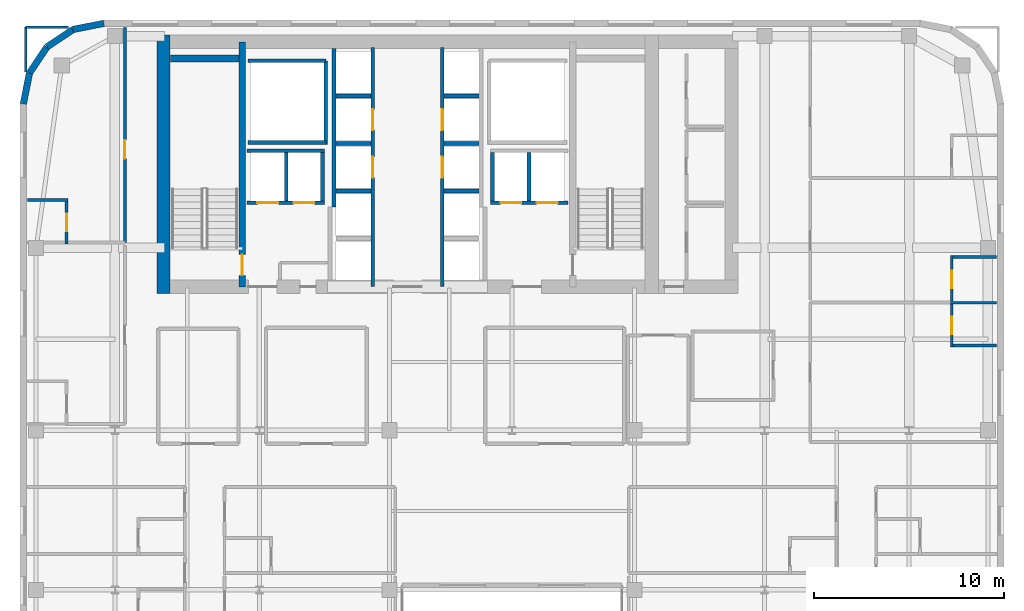
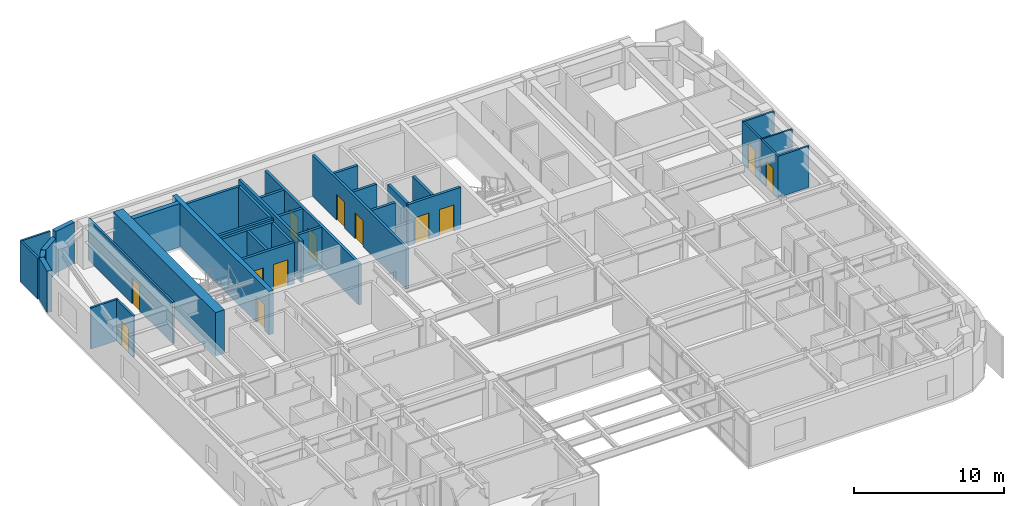
# One storey, part 12 of 15: 36 walls, 13 doors, 13 openings.
"""IFC4 building model written with IfcOpenShell, lengths in metres."""

from ifc_helpers import new_model, si_unit, direction, frame, frame_2d, origin, place, context, subcontext, project, spatial, rectangle, extrude, source, transform, mapped, material, layer, layer_set, type_object, type_shapes, element, fill, save


model = new_model("IFC4")

# Units and contexts
model_context = context("Model", 3, precision=1e-05, world=origin(), true_north=direction((0.0, 1.0)))
body_context = subcontext(model_context, "Body", "Model", "MODEL_VIEW")
ifc_project = project(units=[si_unit("LENGTHUNIT", "METRE"), si_unit("AREAUNIT", "SQUARE_METRE"), si_unit("VOLUMEUNIT", "CUBIC_METRE"), si_unit("PLANEANGLEUNIT", "RADIAN"), si_unit("MASSUNIT", "GRAM", prefix="KILO")], contexts=[model_context])

# Site, building, storey
site_placement = place(None, origin())
site = spatial("IfcSite", under=ifc_project, at=site_placement, CompositionType="ELEMENT")
building_placement = place(site_placement, origin())
building = spatial("IfcBuilding", under=site, at=building_placement, Name="Tolvann Quenvar Hotel", CompositionType="ELEMENT")
storey_placement = place(building_placement, frame((0.0, 0.0, 164.800048828125)))
storey = spatial("IfcBuildingStorey", under=building, at=storey_placement, Name="L43", CompositionType="ELEMENT", Elevation=164.800048828125)

# Wall
ifc_material_1 = material(Name="Concrete S65 (65 MPa)", Category="concrete")
ifc_layer_1 = layer(ifc_material_1, 0.699951171875)
ifc_layer_set_1 = layer_set([ifc_layer_1], Name="Concrete S65 (65 MPa)")
wall_type_1 = type_object("IfcWallType", Name="WALL_CORE_700", PredefinedType="SHEAR", material=ifc_layer_set_1)
wall_1_placement = place(storey_placement, frame((10.14990234375, 31.60009765625, 0.0), z_axis=(0.0, 0.0, 1.0), x_axis=(0.0, 1.0, 0.0)))
element("IfcWall", 1, at=wall_1_placement, inside=storey, type_object=wall_type_1, Name="Rear Core W Shear Wall (L43)", PredefinedType="SHEAR", context=body_context, shape_type="SweptSolid", body=[
    extrude(rectangle(XDim=13.599853515625, YDim=0.699951171875, at=frame_2d((6.7998046875, 0.0))), origin(), (0.0, 0.0, 1.0), 3.550048828125),
])

# Wall, opening, door
ifc_layer_2 = layer(ifc_material_1, 0.35009765625)
ifc_layer_set_2 = layer_set([ifc_layer_2], Name="Concrete S65 (65 MPa)")
wall_type_2 = type_object("IfcWallType", Name="WALL_CORE_INT_350", PredefinedType="SHEAR", material=ifc_layer_set_2)
wall_2_placement = place(storey_placement, frame((14.300048828125, 31.949951171875, 0.0), z_axis=(0.0, 0.0, 1.0), x_axis=(0.0, 1.0, 0.0)))
wall_2 = element("IfcWall", 2, at=wall_2_placement, inside=storey, type_object=wall_type_2, Name="Core Internal Web Shear Wall WEB-W (L43)", PredefinedType="SHEAR", context=body_context, shape_type="SweptSolid", body=[
    extrude(rectangle(XDim=12.900146484375, YDim=0.35009765625, at=frame_2d((6.4501953125, 0.0))), origin(), (0.0, 0.0, 1.0), 3.550048828125),
])
opening_1_placement = place(wall_2_placement, frame((0.60009765625, 0.0, 0.0)))
opening_1 = element("IfcOpeningElement", 3, at=opening_1_placement, cuts=wall_2, Name="Opening FD-120", PredefinedType="OPENING", context=body_context, shape_type="SweptSolid", body=[
    extrude(rectangle(XDim=1.10009765625, YDim=2.1201171875, at=frame_2d((0.550048828125, 1.06005859375))), frame((0.0, 0.18505859375, 0.0), z_axis=(0.0, -1.0, 0.0), x_axis=(1.0, 0.0, 0.0)), (0.0, 0.0, 1.0), 0.3701171875),
])
ifc_material_2 = material(Name="Pressed galvanised steel fire-rated door set", Category="steel")
door_type_1 = type_object("IfcDoorType", Name="DOOR_FIRE_STAIR_1100", OperationType="NOTDEFINED", PredefinedType="DOOR", material=ifc_material_2)
shared_shape_1 = source(origin(), body_context, "Body", "SweptSolid", [
    extrude(rectangle(XDim=1.10009765625, YDim=2.1201171875, at=frame_2d((0.550048828125, 1.06005859375))), frame((0.0, 0.02490234375, 0.0), z_axis=(0.0, -1.0, 0.0), x_axis=(1.0, 0.0, 0.0)), (0.0, 0.0, 1.0), 0.050048828125),
])
type_shapes(door_type_1, [shared_shape_1])
door_1_placement = place(opening_1_placement, origin())
door_1 = element("IfcDoor", 4, at=door_1_placement, inside=storey, type_object=door_type_1, Name="Exit Stair ST-C1 Fire Door (L43)", OperationType="SINGLE_SWING_LEFT", OverallHeight=2.1201171875, OverallWidth=1.10009765625, PredefinedType="DOOR", context=body_context, shape_type="MappedRepresentation", body=[
    mapped(shared_shape_1, transform((0.0, 0.0, 0.0), x_axis=(1.0, 0.0, 0.0), y_axis=(0.0, 1.0, 0.0), z_axis=(0.0, 0.0, 1.0), scale=1.0)),
])
fill(opening_1, door_1)

# Walls
wall_3_placement = place(storey_placement, frame((10.52001953125, 43.97509765625, 0.0), z_axis=(0.0, 0.0, 1.0), x_axis=(1.0, 0.0, 0.0)))
element("IfcWall", 5, at=wall_3_placement, inside=storey, type_object=wall_type_2, Name="Core Stair North Closing Shear Wall STC1-N (L43)", PredefinedType="SHEAR", context=body_context, shape_type="SweptSolid", body=[
    extrude(rectangle(XDim=3.60009765625, YDim=0.35009765625, at=frame_2d((1.800048828125, 0.0))), origin(), (0.0, 0.0, 1.0), 3.550048828125),
])
ifc_material_3 = material(Name="Kiln-fired red and buff architectural clay brickwork and terracotta masonry", Category="masonry")
ifc_layer_3 = layer(ifc_material_3, 0.35009765625)
ifc_layer_set_3 = layer_set([ifc_layer_3], Name="Kiln-fired red and buff architectural clay brickwork and terracotta masonry")
wall_type_3 = type_object("IfcWallType", Name="WALL_EXT_BRICK_350", PredefinedType="SOLIDWALL", material=ifc_layer_set_3)
wall_4_placement = place(storey_placement, frame((7.01708984375, 45.824951171875, 0.0), z_axis=(0.0, 0.0, 1.0), x_axis=(-0.980788844421, -0.195072403631, 0.0)))
element("IfcWall", 6, at=wall_4_placement, inside=storey, type_object=wall_type_3, Name="Exterior Chicago Brick Wall L43-E19", PredefinedType="SOLIDWALL", context=body_context, shape_type="SweptSolid", body=[
    extrude(rectangle(XDim=1.66455078125, YDim=0.35009765625, at=frame_2d((0.832275390625, 0.0))), origin(), (0.0, 0.0, 1.0), 3.369873046875),
])
for number, where, z_axis, x_axis, name in (
    (7, (5.384521484375, 45.500244140625, 0.0), (0.0, 0.0, 1.0), (-0.831502623162, -0.555520825599, 0.0), "Exterior Chicago Brick Wall L43-E20"),
    (8, (4.014892578125, 44.585205078125, 0.0), (0.0, 0.0, 1.0), (-0.555623290322, -0.831434158098, 0.0), "Exterior Chicago Brick Wall L43-E21"),
):
    element("IfcWall", number, at=place(storey_placement, frame(where, z_axis=z_axis, x_axis=x_axis)), inside=storey, type_object=wall_type_3, Name=name, PredefinedType="SOLIDWALL", context=body_context, shape_type="SweptSolid", body=[
        extrude(rectangle(XDim=1.647216796875, YDim=0.35009765625, at=frame_2d((0.82373046875, 0.0))), origin(), (0.0, 0.0, 1.0), 2.83203125),
    ])
wall_5_placement = place(storey_placement, frame((3.099609375, 43.215576171875, 0.0), z_axis=(0.0, 0.0, 1.0), x_axis=(-0.195044345786, -0.980794424524, 0.0)))
element("IfcWall", 9, at=wall_5_placement, inside=storey, type_object=wall_type_3, Name="Exterior Chicago Brick Wall L43-E22", PredefinedType="SOLIDWALL", context=body_context, shape_type="SweptSolid", body=[
    extrude(rectangle(XDim=1.664794921875, YDim=0.35009765625, at=frame_2d((0.83251953125, 0.0))), origin(), (0.0, 0.0, 1.0), 3.369873046875),
])
ifc_material_4 = material(Name="Moisture-resistant acoustic plumbing wall assembly")
ifc_layer_4 = layer(ifc_material_4, 0.1201171875)
ifc_layer_set_4 = layer_set([ifc_layer_4], Name="Moisture-resistant acoustic plumbing wall assembly")
wall_type_4 = type_object("IfcWallType", Name="WALL_PART_BATH_120", PredefinedType="PLUMBINGWALL", material=ifc_layer_set_4)
wall_6_placement = place(storey_placement, frame((51.580078125, 31.1201171875, 0.0), z_axis=(0.0, 0.0, 1.0), x_axis=(1.0, 0.0, 0.0)))
element("IfcWall", 10, at=wall_6_placement, inside=storey, type_object=wall_type_4, Name="Non-Rated Plumbing Partition PT-SPC-L43-ENS-NE01-N", PredefinedType="PLUMBINGWALL", context=body_context, shape_type="SweptSolid", body=[
    extrude(rectangle(XDim=2.4150390625, YDim=0.1201171875, at=frame_2d((1.20751953125, 0.0))), origin(), (0.0, 0.0, 1.0), 3.369873046875),
])

# Wall, opening, door
ifc_material_5 = material(Name="Acoustic twin-stud fire-rated gypsum plasterboard partition")
ifc_layer_5 = layer(ifc_material_5, 0.14990234375)
ifc_layer_set_5 = layer_set([ifc_layer_5], Name="Acoustic twin-stud fire-rated gypsum plasterboard partition")
wall_type_5 = type_object("IfcWallType", Name="WALL_PART_SUITE_150", PredefinedType="PARTITIONING", material=ifc_layer_set_5)
wall_7_placement = place(storey_placement, frame((5.050048828125, 34.2099609375, 0.0), z_axis=(0.0, 0.0, 1.0), x_axis=(0.0, 1.0, 0.0)))
wall_7 = element("IfcWall", 11, at=wall_7_placement, inside=storey, type_object=wall_type_5, Name="Interior Partition PT-SPC-L43-ENS-NW02-ENT", PredefinedType="PARTITIONING", context=body_context, shape_type="SweptSolid", body=[
    extrude(rectangle(XDim=2.39013671875, YDim=0.14990234375, at=frame_2d((1.195068359375, 0.0))), origin(), (0.0, 0.0, 1.0), 3.369873046875),
])
opening_2_placement = place(wall_7_placement, frame((0.6650390625, 0.0, 0.0)))
opening_2 = element("IfcOpeningElement", 12, at=opening_2_placement, cuts=wall_7, Name="Opening WD-01", PredefinedType="OPENING", context=body_context, shape_type="SweptSolid", body=[
    extrude(rectangle(XDim=0.919921875, YDim=2.010009765625, at=frame_2d((0.4599609375, 1.0048828125))), frame((0.0, 0.0849609375, 0.0), z_axis=(0.0, -1.0, 0.0), x_axis=(1.0, 0.0, 0.0)), (0.0, 0.0, 1.0), 0.169921875),
])
ifc_material_6 = material(Name="Solid-core American oak acoustic fire door leaf in steel frame", Category="steel")
door_type_2 = type_object("IfcDoorType", Name="DOOR_WC_920", OperationType="NOTDEFINED", PredefinedType="DOOR", material=ifc_material_6)
shared_shape_2 = source(origin(), body_context, "Body", "SweptSolid", [
    extrude(rectangle(XDim=0.919921875, YDim=2.010009765625, at=frame_2d((0.4599609375, 1.0048828125))), frame((0.0, 0.02490234375, 0.0), z_axis=(0.0, -1.0, 0.0), x_axis=(1.0, 0.0, 0.0)), (0.0, 0.0, 1.0), 0.050048828125),
])
type_shapes(door_type_2, [shared_shape_2])
door_2_placement = place(opening_2_placement, origin())
door_2 = element("IfcDoor", 13, at=door_2_placement, inside=storey, type_object=door_type_2, Name="Interior Door DOOR-SPC-L43-ENS-NW02", OperationType="SINGLE_SWING_RIGHT", OverallHeight=2.010009765625, OverallWidth=0.919921875, PredefinedType="DOOR", context=body_context, shape_type="MappedRepresentation", body=[
    mapped(shared_shape_2, transform((0.0, 0.0, 0.0), x_axis=(1.0, 0.0, 0.0), y_axis=(0.0, 1.0, 0.0), z_axis=(0.0, 0.0, 1.0), scale=1.0)),
])
fill(opening_2, door_2)

# Wall
wall_8_placement = place(storey_placement, frame((3.0048828125, 36.530029296875, 0.0), z_axis=(0.0, 0.0, 1.0), x_axis=(1.0, 0.0, 0.0)))
element("IfcWall", 14, at=wall_8_placement, inside=storey, type_object=wall_type_5, Name="Interior Partition PT-SPC-L43-ENS-NW02-N", PredefinedType="PARTITIONING", context=body_context, shape_type="SweptSolid", body=[
    extrude(rectangle(XDim=2.115234375, YDim=0.14990234375, at=frame_2d((1.0576171875, 0.0))), origin(), (0.0, 0.0, 1.0), 3.369873046875),
])

# Wall, opening, door
wall_9_placement = place(storey_placement, frame((51.64990234375, 28.800048828125, 0.0), z_axis=(0.0, 0.0, 1.0), x_axis=(0.0, 1.0, 0.0)))
wall_9 = element("IfcWall", 15, at=wall_9_placement, inside=storey, type_object=wall_type_5, Name="Interior Partition PT-SPC-L43-ENS-NE01-ENT", PredefinedType="PARTITIONING", context=body_context, shape_type="SweptSolid", body=[
    extrude(rectangle(XDim=2.389892578125, YDim=0.14990234375, at=frame_2d((1.19482421875, 0.0))), origin(), (0.0, 0.0, 1.0), 3.369873046875),
])
opening_3_placement = place(wall_9_placement, frame((0.6650390625, 0.0, 0.0)))
opening_3 = element("IfcOpeningElement", 16, at=opening_3_placement, cuts=wall_9, Name="Opening WD-01", PredefinedType="OPENING", context=body_context, shape_type="SweptSolid", body=[
    extrude(rectangle(XDim=0.919921875, YDim=2.010009765625, at=frame_2d((0.4599609375, 1.0048828125))), frame((0.0, 0.0849609375, 0.0), z_axis=(0.0, -1.0, 0.0), x_axis=(1.0, 0.0, 0.0)), (0.0, 0.0, 1.0), 0.169921875),
])
door_3_placement = place(opening_3_placement, origin())
door_3 = element("IfcDoor", 17, at=door_3_placement, inside=storey, type_object=door_type_2, Name="Interior Door DOOR-SPC-L43-ENS-NE01", OperationType="SINGLE_SWING_LEFT", OverallHeight=2.010009765625, OverallWidth=0.919921875, PredefinedType="DOOR", context=body_context, shape_type="MappedRepresentation", body=[
    mapped(shared_shape_2, transform((0.0, 0.0, 0.0), x_axis=(1.0, 0.0, 0.0), y_axis=(0.0, 1.0, 0.0), z_axis=(0.0, 0.0, 1.0), scale=1.0)),
])
fill(opening_3, door_3)

# Wall
wall_10_placement = place(storey_placement, frame((51.580078125, 28.8701171875, 0.0), z_axis=(0.0, 0.0, 1.0), x_axis=(1.0, 0.0, 0.0)))
element("IfcWall", 18, at=wall_10_placement, inside=storey, type_object=wall_type_5, Name="Interior Partition PT-SPC-L43-ENS-NE01-S", PredefinedType="PARTITIONING", context=body_context, shape_type="SweptSolid", body=[
    extrude(rectangle(XDim=2.4150390625, YDim=0.14990234375, at=frame_2d((1.20751953125, 0.0))), origin(), (0.0, 0.0, 1.0), 3.369873046875),
])

# Wall, opening, door
wall_11_placement = place(storey_placement, frame((51.64990234375, 31.2099609375, 0.0), z_axis=(0.0, 0.0, 1.0), x_axis=(0.0, 1.0, 0.0)))
wall_11 = element("IfcWall", 19, at=wall_11_placement, inside=storey, type_object=wall_type_5, Name="Interior Partition PT-SPC-L43-ENS-NE02-ENT", PredefinedType="PARTITIONING", context=body_context, shape_type="SweptSolid", body=[
    extrude(rectangle(XDim=2.39013671875, YDim=0.14990234375, at=frame_2d((1.195068359375, 0.0))), origin(), (0.0, 0.0, 1.0), 3.369873046875),
])
opening_4_placement = place(wall_11_placement, frame((0.6650390625, 0.0, 0.0)))
opening_4 = element("IfcOpeningElement", 20, at=opening_4_placement, cuts=wall_11, Name="Opening WD-01", PredefinedType="OPENING", context=body_context, shape_type="SweptSolid", body=[
    extrude(rectangle(XDim=0.919921875, YDim=2.010009765625, at=frame_2d((0.4599609375, 1.0048828125))), frame((0.0, 0.0849609375, 0.0), z_axis=(0.0, -1.0, 0.0), x_axis=(1.0, 0.0, 0.0)), (0.0, 0.0, 1.0), 0.169921875),
])
door_4_placement = place(opening_4_placement, origin())
door_4 = element("IfcDoor", 21, at=door_4_placement, inside=storey, type_object=door_type_2, Name="Interior Door DOOR-SPC-L43-ENS-NE02", OperationType="SINGLE_SWING_RIGHT", OverallHeight=2.010009765625, OverallWidth=0.919921875, PredefinedType="DOOR", context=body_context, shape_type="MappedRepresentation", body=[
    mapped(shared_shape_2, transform((0.0, 0.0, 0.0), x_axis=(1.0, 0.0, 0.0), y_axis=(0.0, 1.0, 0.0), z_axis=(0.0, 0.0, 1.0), scale=1.0)),
])
fill(opening_4, door_4)

# Wall
wall_12_placement = place(storey_placement, frame((51.580078125, 33.530029296875, 0.0), z_axis=(0.0, 0.0, 1.0), x_axis=(1.0, 0.0, 0.0)))
element("IfcWall", 22, at=wall_12_placement, inside=storey, type_object=wall_type_5, Name="Interior Partition PT-SPC-L43-ENS-NE02-N", PredefinedType="PARTITIONING", context=body_context, shape_type="SweptSolid", body=[
    extrude(rectangle(XDim=2.4150390625, YDim=0.14990234375, at=frame_2d((1.20751953125, 0.0))), origin(), (0.0, 0.0, 1.0), 3.369873046875),
])

# Wall, opening, door
wall_13_placement = place(storey_placement, frame((8.1201171875, 34.280029296875, 0.0), z_axis=(0.0, 0.0, 1.0), x_axis=(0.0, 1.0, 0.0)))
wall_13 = element("IfcWall", 23, at=wall_13_placement, inside=storey, type_object=wall_type_5, Name="Interior Partition PT-SPC-L43-RM-NW02-ENT", PredefinedType="PARTITIONING", context=body_context, shape_type="SweptSolid", body=[
    extrude(rectangle(XDim=11.31494140625, YDim=0.14990234375, at=frame_2d((5.657470703125, 0.0))), origin(), (0.0, 0.0, 1.0), 3.369873046875),
])
opening_5_placement = place(wall_13_placement, frame((4.419921875, 0.0, 0.0)))
opening_5 = element("IfcOpeningElement", 24, at=opening_5_placement, cuts=wall_13, Name="Opening SD-01", PredefinedType="OPENING", context=body_context, shape_type="SweptSolid", body=[
    extrude(rectangle(XDim=0.97998046875, YDim=2.1201171875, at=frame_2d((0.489990234375, 1.06005859375))), frame((0.0, 0.0849609375, 0.0), z_axis=(0.0, -1.0, 0.0), x_axis=(1.0, 0.0, 0.0)), (0.0, 0.0, 1.0), 0.169921875),
])
door_type_3 = type_object("IfcDoorType", Name="DOOR_SUITE_980", OperationType="NOTDEFINED", PredefinedType="DOOR", material=ifc_material_6)
shared_shape_3 = source(origin(), body_context, "Body", "SweptSolid", [
    extrude(rectangle(XDim=0.97998046875, YDim=2.1201171875, at=frame_2d((0.489990234375, 1.06005859375))), frame((0.0, 0.02490234375, 0.0), z_axis=(0.0, -1.0, 0.0), x_axis=(1.0, 0.0, 0.0)), (0.0, 0.0, 1.0), 0.050048828125),
])
type_shapes(door_type_3, [shared_shape_3])
door_5_placement = place(opening_5_placement, origin())
door_5 = element("IfcDoor", 25, at=door_5_placement, inside=storey, type_object=door_type_3, Name="Interior Door DOOR-SPC-L43-RM-NW02", OperationType="SINGLE_SWING_RIGHT", OverallHeight=2.1201171875, OverallWidth=0.97998046875, PredefinedType="DOOR", context=body_context, shape_type="MappedRepresentation", body=[
    mapped(shared_shape_3, transform((0.0, 0.0, 0.0), x_axis=(1.0, 0.0, 0.0), y_axis=(0.0, 1.0, 0.0), z_axis=(0.0, 0.0, 1.0), scale=1.0)),
])
fill(opening_5, door_5)

# Walls
wall_14_placement = place(storey_placement, frame((2.89990234375, 45.6201171875, 0.0), z_axis=(0.0, 0.0, 1.0), x_axis=(1.0, 0.0, 0.0)))
element("IfcWall", 26, at=wall_14_placement, inside=storey, type_object=wall_type_5, Name="Interior Partition PT-SPC-L43-RM-NW02-E5", PredefinedType="PARTITIONING", context=body_context, shape_type="SweptSolid", body=[
    extrude(rectangle(XDim=2.25, YDim=0.14990234375, at=frame_2d((1.125, 0.0))), origin(), (0.0, 0.0, 1.0), 3.369873046875),
])
wall_15_placement = place(storey_placement, frame((2.89990234375, 43.2548828125, 0.0), z_axis=(0.0, 0.0, 1.0), x_axis=(0.0, 1.0, 0.0)))
element("IfcWall", 27, at=wall_15_placement, inside=storey, type_object=wall_type_5, Name="Interior Partition PT-SPC-L43-RM-NW02-E6", PredefinedType="PARTITIONING", context=body_context, shape_type="SweptSolid", body=[
    extrude(rectangle(XDim=2.365234375, YDim=0.14990234375, at=frame_2d((1.1826171875, 0.0))), origin(), (0.0, 0.0, 1.0), 3.369873046875),
])
ifc_material_7 = material(Name="Concrete N40 (40 MPa)", Category="concrete")
ifc_layer_6 = layer(ifc_material_7, 0.199951171875)
ifc_layer_set_6 = layer_set([ifc_layer_6], Name="Concrete N40 (40 MPa)")
wall_type_6 = type_object("IfcWallType", Name="WALL_SHAFT_200", PredefinedType="SOLIDWALL", material=ifc_layer_set_6)
wall_16_placement = place(storey_placement, frame((18.699951171875, 39.449951171875, 0.0), z_axis=(0.0, 0.0, 1.0), x_axis=(0.0, 1.0, 0.0)))
element("IfcWall", 28, at=wall_16_placement, inside=storey, type_object=wall_type_6, Name="Service Riser W Shaft Wall IN (L43)", PredefinedType="SOLIDWALL", context=body_context, shape_type="SweptSolid", body=[
    extrude(rectangle(XDim=4.400146484375, YDim=0.199951171875, at=frame_2d((2.2001953125, 0.0))), origin(), (0.0, 0.0, 1.0), 3.369873046875),
])
for number, where, z_axis, x_axis, name in (
    (29, (14.60009765625, 39.550048828125, 0.0), (0.0, 0.0, 1.0), (1.0, 0.0, 0.0), "Service Riser W Shaft Wall S (L43)"),
    (30, (14.60009765625, 43.85009765625, 0.0), (0.0, 0.0, 1.0), (1.0, 0.0, 0.0), "Service Riser W Shaft Wall N (L43)"),
):
    element("IfcWall", number, at=place(storey_placement, frame(where, z_axis=z_axis, x_axis=x_axis)), inside=storey, type_object=wall_type_6, Name=name, PredefinedType="SOLIDWALL", context=body_context, shape_type="SweptSolid", body=[
        extrude(rectangle(XDim=4.099853515625, YDim=0.199951171875, at=frame_2d((2.0498046875, 0.0))), origin(), (0.0, 0.0, 1.0), 3.369873046875),
    ])

# Wall, openings, doors
wall_17_placement = place(storey_placement, frame((21.169921875, 31.9599609375, 0.0), z_axis=(0.0, 0.0, 1.0), x_axis=(0.0, 1.0, 0.0)))
wall_17 = element("IfcWall", 31, at=wall_17_placement, inside=storey, type_object=wall_type_6, Name="Lift Bank E21.1C1 Hoistway Front Wall (L43)", PredefinedType="SOLIDWALL", context=body_context, shape_type="SweptSolid", body=[
    extrude(rectangle(XDim=12.580078125, YDim=0.199951171875, at=frame_2d((6.2900390625, 0.0))), origin(), (0.0, 0.0, 1.0), 3.369873046875),
])
opening_6_placement = place(wall_17_placement, frame((5.739990234375, 0.0, 0.0)))
opening_6 = element("IfcOpeningElement", 32, at=opening_6_placement, cuts=wall_17, Name="Opening LD-01", PredefinedType="OPENING", context=body_context, shape_type="SweptSolid", body=[
    extrude(rectangle(XDim=1.10009765625, YDim=2.1201171875, at=frame_2d((0.550048828125, 1.06005859375))), frame((0.0, 0.10986328125, 0.0), z_axis=(0.0, -1.0, 0.0), x_axis=(1.0, 0.0, 0.0)), (0.0, 0.0, 1.0), 0.219970703125),
])
opening_7_placement = place(wall_17_placement, frame((8.239990234375, 0.0, 0.0)))
opening_7 = element("IfcOpeningElement", 33, at=opening_7_placement, cuts=wall_17, Name="Opening LD-01", PredefinedType="OPENING", context=body_context, shape_type="SweptSolid", body=[
    extrude(rectangle(XDim=1.10009765625, YDim=2.1201171875, at=frame_2d((0.550048828125, 1.06005859375))), frame((0.0, 0.10986328125, 0.0), z_axis=(0.0, -1.0, 0.0), x_axis=(1.0, 0.0, 0.0)), (0.0, 0.0, 1.0), 0.219970703125),
])
ifc_material_8 = material(Name="Brushed 316 stainless steel automatic sliding lift landing door", Category="steel")
door_type_4 = type_object("IfcDoorType", Name="DOOR_LIFT_SLIDE_1100", OperationType="NOTDEFINED", PredefinedType="DOOR", material=ifc_material_8)
shared_shape_4 = source(origin(), body_context, "Body", "SweptSolid", [
    extrude(rectangle(XDim=1.10009765625, YDim=2.1201171875, at=frame_2d((0.550048828125, 1.06005859375))), frame((0.0, 0.02490234375, 0.0), z_axis=(0.0, -1.0, 0.0), x_axis=(1.0, 0.0, 0.0)), (0.0, 0.0, 1.0), 0.050048828125),
])
type_shapes(door_type_4, [shared_shape_4])
door_6_placement = place(opening_6_placement, origin())
door_6 = element("IfcDoor", 34, at=door_6_placement, inside=storey, type_object=door_type_4, Name="Lift PM-1 Sliding Landing Door (L43)", OperationType="SLIDING_TO_RIGHT", OverallHeight=2.1201171875, OverallWidth=1.10009765625, PredefinedType="DOOR", context=body_context, shape_type="MappedRepresentation", body=[
    mapped(shared_shape_4, transform((0.0, 0.0, 0.0), x_axis=(1.0, 0.0, 0.0), y_axis=(0.0, 1.0, 0.0), z_axis=(0.0, 0.0, 1.0), scale=1.0)),
])
fill(opening_6, door_6)
door_7_placement = place(opening_7_placement, origin())
door_7 = element("IfcDoor", 35, at=door_7_placement, inside=storey, type_object=door_type_4, Name="Lift PM-2 Sliding Landing Door (L43)", OperationType="SLIDING_TO_LEFT", OverallHeight=2.1201171875, OverallWidth=1.10009765625, PredefinedType="DOOR", context=body_context, shape_type="MappedRepresentation", body=[
    mapped(shared_shape_4, transform((0.0, 0.0, 0.0), x_axis=(1.0, 0.0, 0.0), y_axis=(0.0, 1.0, 0.0), z_axis=(0.0, 0.0, 1.0), scale=1.0)),
])
fill(opening_7, door_7)

# Walls
wall_18_placement = place(storey_placement, frame((19.1298828125, 36.159912109375, 0.0), z_axis=(0.0, 0.0, 1.0), x_axis=(0.0, 1.0, 0.0)))
element("IfcWall", 36, at=wall_18_placement, inside=storey, type_object=wall_type_6, Name="Lift Bank E21.1C1 Hoistway Rear Wall (L43)", PredefinedType="SOLIDWALL", context=body_context, shape_type="SweptSolid", body=[
    extrude(rectangle(XDim=8.336181640625, YDim=0.199951171875, at=frame_2d((4.16796875, 0.0))), origin(), (0.0, 0.0, 1.0), 3.369873046875),
])
for number, where, z_axis, x_axis, name in (
    (37, (19.22998046875, 37.0, 0.0), (0.0, 0.0, 1.0), (1.0, 0.0, 0.0), "Lift Bank E21.1C1 Divider Wall 2 (L43)"),
    (38, (19.22998046875, 39.5, 0.0), (0.0, 0.0, 1.0), (1.0, 0.0, 0.0), "Lift Bank E21.1C1 Divider Wall 3 (L43)"),
    (39, (19.22998046875, 42.0, 0.0), (0.0, 0.0, 1.0), (1.0, 0.0, 0.0), "Lift Bank E21.1C1 Divider Wall 4 (L43)"),
):
    element("IfcWall", number, at=place(storey_placement, frame(where, z_axis=z_axis, x_axis=x_axis)), inside=storey, type_object=wall_type_6, Name=name, PredefinedType="SOLIDWALL", context=body_context, shape_type="SweptSolid", body=[
        extrude(rectangle(XDim=1.840087890625, YDim=0.199951171875, at=frame_2d((0.919921875, 0.0))), origin(), (0.0, 0.0, 1.0), 3.369873046875),
    ])

# Wall, openings, doors
wall_19_placement = place(storey_placement, frame((27.375, 36.3798828125, 0.0), z_axis=(0.0, 0.0, 1.0), x_axis=(1.0, 0.0, 0.0)))
wall_19 = element("IfcWall", 40, at=wall_19_placement, inside=storey, type_object=wall_type_6, Name="Lift Bank SEC1 Hoistway Front Wall (L43)", PredefinedType="SOLIDWALL", context=body_context, shape_type="SweptSolid", body=[
    extrude(rectangle(XDim=4.074951171875, YDim=0.199951171875, at=frame_2d((2.03759765625, 0.0))), origin(), (0.0, 0.0, 1.0), 3.369873046875),
])
opening_8_placement = place(wall_19_placement, frame((0.52490234375, 0.0, 0.0)))
opening_8 = element("IfcOpeningElement", 41, at=opening_8_placement, cuts=wall_19, Name="Opening LD-01", PredefinedType="OPENING", context=body_context, shape_type="SweptSolid", body=[
    extrude(rectangle(XDim=1.10009765625, YDim=2.1201171875, at=frame_2d((0.550048828125, 1.06005859375))), frame((0.0, 0.10986328125, 0.0), z_axis=(0.0, -1.0, 0.0), x_axis=(1.0, 0.0, 0.0)), (0.0, 0.0, 1.0), 0.219970703125),
])
opening_9_placement = place(wall_19_placement, frame((2.425048828125, 0.0, 0.0)))
opening_9 = element("IfcOpeningElement", 42, at=opening_9_placement, cuts=wall_19, Name="Opening LD-01", PredefinedType="OPENING", context=body_context, shape_type="SweptSolid", body=[
    extrude(rectangle(XDim=1.10009765625, YDim=2.1201171875, at=frame_2d((0.550048828125, 1.06005859375))), frame((0.0, 0.10986328125, 0.0), z_axis=(0.0, -1.0, 0.0), x_axis=(1.0, 0.0, 0.0)), (0.0, 0.0, 1.0), 0.219970703125),
])
door_8_placement = place(opening_8_placement, origin())
door_8 = element("IfcDoor", 43, at=door_8_placement, inside=storey, type_object=door_type_4, Name="Lift SV-2 Sliding Landing Door (L43)", OperationType="SLIDING_TO_LEFT", OverallHeight=2.1201171875, OverallWidth=1.10009765625, PredefinedType="DOOR", context=body_context, shape_type="MappedRepresentation", body=[
    mapped(shared_shape_4, transform((0.0, 0.0, 0.0), x_axis=(1.0, 0.0, 0.0), y_axis=(0.0, 1.0, 0.0), z_axis=(0.0, 0.0, 1.0), scale=1.0)),
])
fill(opening_8, door_8)
door_9_placement = place(opening_9_placement, origin())
door_9 = element("IfcDoor", 44, at=door_9_placement, inside=storey, type_object=door_type_4, Name="Lift FF-2 Sliding Landing Door (L43)", OperationType="SLIDING_TO_RIGHT", OverallHeight=2.1201171875, OverallWidth=1.10009765625, PredefinedType="DOOR", context=body_context, shape_type="MappedRepresentation", body=[
    mapped(shared_shape_4, transform((0.0, 0.0, 0.0), x_axis=(1.0, 0.0, 0.0), y_axis=(0.0, 1.0, 0.0), z_axis=(0.0, 0.0, 1.0), scale=1.0)),
])
fill(opening_9, door_9)

# Walls
for number, where, z_axis, x_axis, name in (
    (45, (27.47509765625, 36.47998046875, 0.0), (0.0, 0.0, 1.0), (0.0, 1.0, 0.0), "Lift Bank SEC1 Hoistway Cheek Wall 1 (L43)"),
    (46, (29.387451171875, 36.47998046875, 0.0), (0.0, 0.0, 1.0), (0.0, 1.0, 0.0), "Lift Bank SEC1 Divider Wall 1 (L43)"),
):
    element("IfcWall", number, at=place(storey_placement, frame(where, z_axis=z_axis, x_axis=x_axis)), inside=storey, type_object=wall_type_6, Name=name, PredefinedType="SOLIDWALL", context=body_context, shape_type="SweptSolid", body=[
        extrude(rectangle(XDim=2.5400390625, YDim=0.199951171875, at=frame_2d((1.27001953125, 0.0))), origin(), (0.0, 0.0, 1.0), 3.369873046875),
    ])

# Wall, openings, doors
wall_20_placement = place(storey_placement, frame((14.550048828125, 36.3798828125, 0.0), z_axis=(0.0, 0.0, 1.0), x_axis=(1.0, 0.0, 0.0)))
wall_20 = element("IfcWall", 47, at=wall_20_placement, inside=storey, type_object=wall_type_6, Name="Lift Bank SWC1 Hoistway Front Wall (L43)", PredefinedType="SOLIDWALL", context=body_context, shape_type="SweptSolid", body=[
    extrude(rectangle(XDim=4.074951171875, YDim=0.199951171875, at=frame_2d((2.03759765625, 0.0))), origin(), (0.0, 0.0, 1.0), 3.369873046875),
])
opening_10_placement = place(wall_20_placement, frame((0.550048828125, 0.0, 0.0)))
opening_10 = element("IfcOpeningElement", 48, at=opening_10_placement, cuts=wall_20, Name="Opening LD-01", PredefinedType="OPENING", context=body_context, shape_type="SweptSolid", body=[
    extrude(rectangle(XDim=1.10009765625, YDim=2.1201171875, at=frame_2d((0.550048828125, 1.06005859375))), frame((0.0, 0.10986328125, 0.0), z_axis=(0.0, -1.0, 0.0), x_axis=(1.0, 0.0, 0.0)), (0.0, 0.0, 1.0), 0.219970703125),
])
opening_11_placement = place(wall_20_placement, frame((2.449951171875, 0.0, 0.0)))
opening_11 = element("IfcOpeningElement", 49, at=opening_11_placement, cuts=wall_20, Name="Opening LD-01", PredefinedType="OPENING", context=body_context, shape_type="SweptSolid", body=[
    extrude(rectangle(XDim=1.10009765625, YDim=2.1201171875, at=frame_2d((0.550048828125, 1.06005859375))), frame((0.0, 0.10986328125, 0.0), z_axis=(0.0, -1.0, 0.0), x_axis=(1.0, 0.0, 0.0)), (0.0, 0.0, 1.0), 0.219970703125),
])
door_10_placement = place(opening_10_placement, origin())
door_10 = element("IfcDoor", 50, at=door_10_placement, inside=storey, type_object=door_type_4, Name="Lift FF-1 Sliding Landing Door (L43)", OperationType="SLIDING_TO_LEFT", OverallHeight=2.1201171875, OverallWidth=1.10009765625, PredefinedType="DOOR", context=body_context, shape_type="MappedRepresentation", body=[
    mapped(shared_shape_4, transform((0.0, 0.0, 0.0), x_axis=(1.0, 0.0, 0.0), y_axis=(0.0, 1.0, 0.0), z_axis=(0.0, 0.0, 1.0), scale=1.0)),
])
fill(opening_10, door_10)
door_11_placement = place(opening_11_placement, origin())
door_11 = element("IfcDoor", 51, at=door_11_placement, inside=storey, type_object=door_type_4, Name="Lift SV-1 Sliding Landing Door (L43)", OperationType="SLIDING_TO_RIGHT", OverallHeight=2.1201171875, OverallWidth=1.10009765625, PredefinedType="DOOR", context=body_context, shape_type="MappedRepresentation", body=[
    mapped(shared_shape_4, transform((0.0, 0.0, 0.0), x_axis=(1.0, 0.0, 0.0), y_axis=(0.0, 1.0, 0.0), z_axis=(0.0, 0.0, 1.0), scale=1.0)),
])
fill(opening_11, door_11)

# Walls
wall_21_placement = place(storey_placement, frame((14.550048828125, 39.1201171875, 0.0), z_axis=(0.0, 0.0, 1.0), x_axis=(1.0, 0.0, 0.0)))
element("IfcWall", 52, at=wall_21_placement, inside=storey, type_object=wall_type_6, Name="Lift Bank SWC1 Hoistway Rear Wall (L43)", PredefinedType="SOLIDWALL", context=body_context, shape_type="SweptSolid", body=[
    extrude(rectangle(XDim=4.074951171875, YDim=0.199951171875, at=frame_2d((2.03759765625, 0.0))), origin(), (0.0, 0.0, 1.0), 3.369873046875),
])
for number, where, z_axis, x_axis, name in (
    (53, (18.52490234375, 36.47998046875, 0.0), (0.0, 0.0, 1.0), (0.0, 1.0, 0.0), "Lift Bank SWC1 Hoistway Cheek Wall 2 (L43)"),
    (54, (16.612548828125, 36.47998046875, 0.0), (0.0, 0.0, 1.0), (0.0, 1.0, 0.0), "Lift Bank SWC1 Divider Wall 1 (L43)"),
):
    element("IfcWall", number, at=place(storey_placement, frame(where, z_axis=z_axis, x_axis=x_axis)), inside=storey, type_object=wall_type_6, Name=name, PredefinedType="SOLIDWALL", context=body_context, shape_type="SweptSolid", body=[
        extrude(rectangle(XDim=2.5400390625, YDim=0.199951171875, at=frame_2d((1.27001953125, 0.0))), origin(), (0.0, 0.0, 1.0), 3.369873046875),
    ])

# Wall, openings, doors
wall_22_placement = place(storey_placement, frame((24.830078125, 31.9599609375, 0.0), z_axis=(0.0, 0.0, 1.0), x_axis=(0.0, 1.0, 0.0)))
wall_22 = element("IfcWall", 55, at=wall_22_placement, inside=storey, type_object=wall_type_6, Name="Lift Bank W24.9C1 Hoistway Front Wall (L43)", PredefinedType="SOLIDWALL", context=body_context, shape_type="SweptSolid", body=[
    extrude(rectangle(XDim=12.580078125, YDim=0.199951171875, at=frame_2d((6.2900390625, 0.0))), origin(), (0.0, 0.0, 1.0), 3.369873046875),
])
opening_12_placement = place(wall_22_placement, frame((5.739990234375, 0.0, 0.0)))
opening_12 = element("IfcOpeningElement", 56, at=opening_12_placement, cuts=wall_22, Name="Opening LD-01", PredefinedType="OPENING", context=body_context, shape_type="SweptSolid", body=[
    extrude(rectangle(XDim=1.10009765625, YDim=2.1201171875, at=frame_2d((0.550048828125, 1.06005859375))), frame((0.0, 0.10986328125, 0.0), z_axis=(0.0, -1.0, 0.0), x_axis=(1.0, 0.0, 0.0)), (0.0, 0.0, 1.0), 0.219970703125),
])
opening_13_placement = place(wall_22_placement, frame((8.239990234375, 0.0, 0.0)))
opening_13 = element("IfcOpeningElement", 57, at=opening_13_placement, cuts=wall_22, Name="Opening LD-01", PredefinedType="OPENING", context=body_context, shape_type="SweptSolid", body=[
    extrude(rectangle(XDim=1.10009765625, YDim=2.1201171875, at=frame_2d((0.550048828125, 1.06005859375))), frame((0.0, 0.10986328125, 0.0), z_axis=(0.0, -1.0, 0.0), x_axis=(1.0, 0.0, 0.0)), (0.0, 0.0, 1.0), 0.219970703125),
])
door_12_placement = place(opening_12_placement, origin())
door_12 = element("IfcDoor", 58, at=door_12_placement, inside=storey, type_object=door_type_4, Name="Lift PM-3 Sliding Landing Door (L43)", OperationType="SLIDING_TO_RIGHT", OverallHeight=2.1201171875, OverallWidth=1.10009765625, PredefinedType="DOOR", context=body_context, shape_type="MappedRepresentation", body=[
    mapped(shared_shape_4, transform((0.0, 0.0, 0.0), x_axis=(1.0, 0.0, 0.0), y_axis=(0.0, 1.0, 0.0), z_axis=(0.0, 0.0, 1.0), scale=1.0)),
])
fill(opening_12, door_12)
door_13_placement = place(opening_13_placement, origin())
door_13 = element("IfcDoor", 59, at=door_13_placement, inside=storey, type_object=door_type_4, Name="Lift PM-4 Sliding Landing Door (L43)", OperationType="SLIDING_TO_LEFT", OverallHeight=2.1201171875, OverallWidth=1.10009765625, PredefinedType="DOOR", context=body_context, shape_type="MappedRepresentation", body=[
    mapped(shared_shape_4, transform((0.0, 0.0, 0.0), x_axis=(1.0, 0.0, 0.0), y_axis=(0.0, 1.0, 0.0), z_axis=(0.0, 0.0, 1.0), scale=1.0)),
])
fill(opening_13, door_13)

# Walls
for number, where, z_axis, x_axis, name in (
    (60, (24.929931640625, 37.0, 0.0), (0.0, 0.0, 1.0), (1.0, 0.0, 0.0), "Lift Bank W24.9C1 Divider Wall 2 (L43)"),
    (61, (24.929931640625, 39.5, 0.0), (0.0, 0.0, 1.0), (1.0, 0.0, 0.0), "Lift Bank W24.9C1 Divider Wall 3 (L43)"),
    (62, (24.929931640625, 42.0, 0.0), (0.0, 0.0, 1.0), (1.0, 0.0, 0.0), "Lift Bank W24.9C1 Divider Wall 4 (L43)"),
):
    element("IfcWall", number, at=place(storey_placement, frame(where, z_axis=z_axis, x_axis=x_axis)), inside=storey, type_object=wall_type_6, Name=name, PredefinedType="SOLIDWALL", context=body_context, shape_type="SweptSolid", body=[
        extrude(rectangle(XDim=1.840087890625, YDim=0.199951171875, at=frame_2d((0.919921875, 0.0))), origin(), (0.0, 0.0, 1.0), 3.369873046875),
    ])

save(model, "model.ifc")
